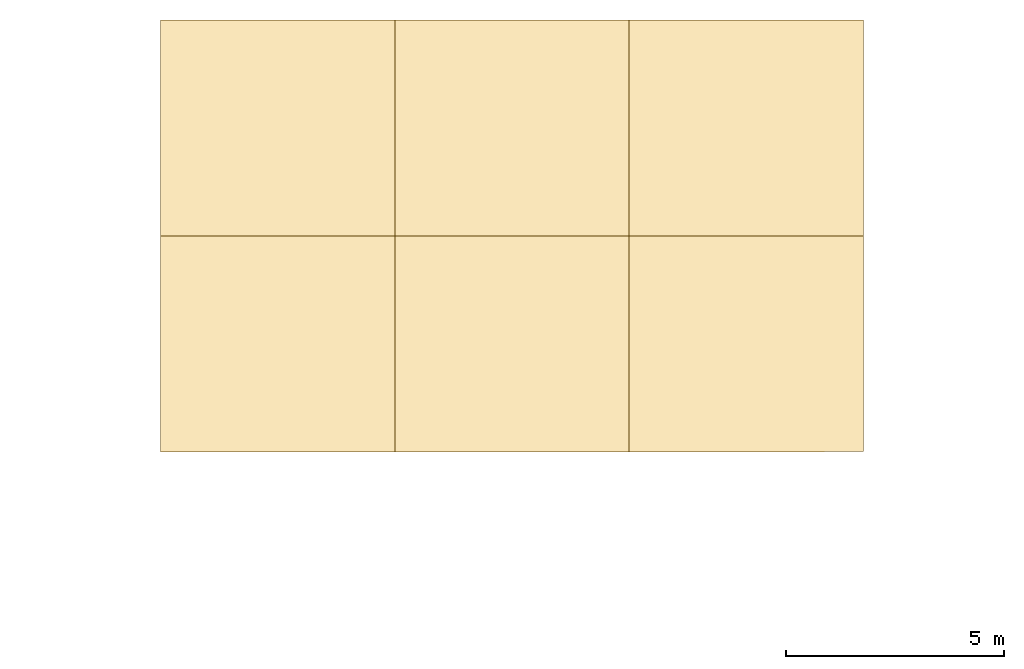
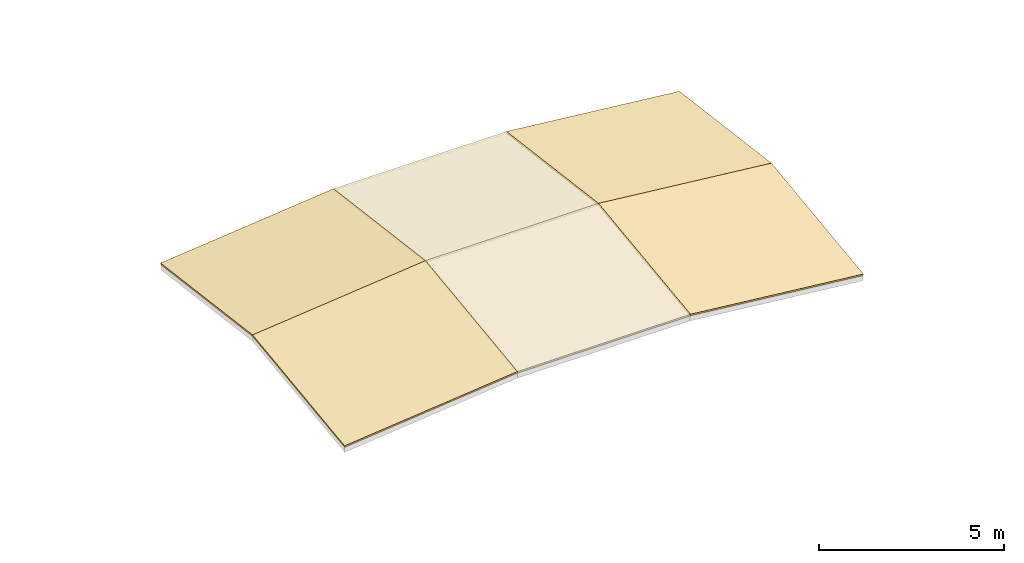
# One storey, part 38 of 41: 6 coverings.
"""IFC4 building model written with IfcOpenShell, lengths in metres."""

import ifcopenshell
import ifcopenshell.guid

model = None  # the IFC model being written
_history = None  # IfcOwnerHistory: only IFC2X3 demands one
_inside = {}  # id of a spatial element -> (the spatial element, [elements in it])
_under = {}  # id of a project, library or spatial element -> (it, [spatial elements below it])
_declared = {}  # id of a project -> (the project, [libraries it declares])
_typed = {}  # id of a type object -> (the type object, [elements of that type])
_made_of = {}  # id of a material, layer set ... -> (it, [elements and type objects made of it])


def new_model(schema):
    """Start an empty IFC model of exactly this schema.

    Asked for "IFC4X3", IfcOpenShell would pick the latest addendum, in which some entities
    have other attributes; the version numbers below select the first issue.
    IFC2X3 requires an IfcOwnerHistory on every rooted entity: one is made here for all.
    """
    global model, _history
    if schema == "IFC4X3":
        model = ifcopenshell.file(schema_version=(4, 3, 0, 0))
    else:
        model = ifcopenshell.file(schema=schema)
    _inside.clear()
    _under.clear()
    _declared.clear()
    _typed.clear()
    _made_of.clear()
    _history = None
    if model.schema == "IFC2X3":
        org = make("IfcOrganization", Name="unknown")
        user = make(
            "IfcPersonAndOrganization",
            ThePerson=make("IfcPerson", FamilyName="unknown"),
            TheOrganization=org,
        )
        app = make(
            "IfcApplication",
            ApplicationDeveloper=org,
            Version="unknown",
            ApplicationFullName="unknown",
            ApplicationIdentifier="unknown",
        )
        _history = make(
            "IfcOwnerHistory",
            OwningUser=user,
            OwningApplication=app,
            ChangeAction="ADDED",
            CreationDate=0,
        )
    return model


def make(cls, **values):
    """One entity of the class cls with the attributes given. An attribute that is None is left unset."""
    return model.create_entity(
        cls, **{name: value for name, value in values.items() if value is not None}
    )


def rooted(cls, **values):
    """An entity with a GlobalId (a new one), such as an element, a storey or a relation."""
    return make(cls, GlobalId=ifcopenshell.guid.new(), OwnerHistory=_history, **values)


def si_unit(unit_type, name, prefix=None):
    """IfcSIUnit, for example si_unit("LENGTHUNIT", "METRE", prefix="MILLI")."""
    return make("IfcSIUnit", UnitType=unit_type, Prefix=prefix, Name=name)


def assignment(units):
    """IfcUnitAssignment: the units of a project."""
    return None if units is None else make("IfcUnitAssignment", Units=units)


def point(xyz):
    """IfcCartesianPoint."""
    return None if xyz is None else make("IfcCartesianPoint", Coordinates=xyz)


def direction(xyz):
    """IfcDirection."""
    return None if xyz is None else make("IfcDirection", DirectionRatios=xyz)


def frame(location, z_axis=None, x_axis=None):
    """IfcAxis2Placement3D, a coordinate frame: its origin and axes. An axis left out is left unset."""
    return make(
        "IfcAxis2Placement3D",
        Location=point(location),
        Axis=direction(z_axis),
        RefDirection=direction(x_axis),
    )


def origin():
    """The frame at (0, 0, 0) with its axes left unset."""
    return frame((0.0, 0.0, 0.0))


def place(relative_to, where):
    """IfcLocalPlacement: puts the frame where relative to a parent placement (None: the world)."""
    return make(
        "IfcLocalPlacement", PlacementRelTo=relative_to, RelativePlacement=where
    )


def context(
    kind, dimensions, precision=None, world=None, true_north=None, identifier=None
):
    """IfcGeometricRepresentationContext, for example the 3D "Model" context."""
    return make(
        "IfcGeometricRepresentationContext",
        ContextIdentifier=identifier,
        ContextType=kind,
        CoordinateSpaceDimension=dimensions,
        Precision=precision,
        WorldCoordinateSystem=world,
        TrueNorth=true_north,
    )


def subcontext(parent, identifier, kind, view, scale=None):
    """IfcGeometricRepresentationSubContext, for example "Body" below "Model"."""
    return make(
        "IfcGeometricRepresentationSubContext",
        ContextIdentifier=identifier,
        ContextType=kind,
        ParentContext=parent,
        TargetScale=scale,
        TargetView=view,
    )


def project(units=None, contexts=None):
    """IfcProject with its units and contexts."""
    return rooted(
        "IfcProject",
        Name="project",
        RepresentationContexts=contexts,
        UnitsInContext=assignment(units),
    )


def spatial(cls, under=None, at=None, **own):
    """A site, building, storey or space (cls), placed at a placement, below another one or the project."""
    s = rooted(cls, ObjectPlacement=at, **own)
    if under is not None:
        _under.setdefault(under.id(), (under, []))[1].append(s)
    return s


def polyline(points):
    """IfcPolyline through the points."""
    return make("IfcPolyline", Points=[point(p) for p in points])


def outline(outer, holes=None, kind="AREA"):
    """IfcArbitraryClosedProfileDef: a profile drawn as a closed curve; with holes, ...WithVoids."""
    if holes is None:
        return make("IfcArbitraryClosedProfileDef", ProfileType=kind, OuterCurve=outer)
    return make(
        "IfcArbitraryProfileDefWithVoids",
        ProfileType=kind,
        OuterCurve=outer,
        InnerCurves=holes,
    )


def extrude(swept, where, along, depth):
    """IfcExtrudedAreaSolid: the profile swept, set in the frame where, extruded along a direction by depth."""
    return make(
        "IfcExtrudedAreaSolid",
        SweptArea=swept,
        Position=where,
        ExtrudedDirection=direction(along),
        Depth=depth,
    )


def shape(context_of_items, identifier, shape_type, items):
    """IfcShapeRepresentation: the items that make up one representation, for example the "Body"."""
    return make(
        "IfcShapeRepresentation",
        ContextOfItems=context_of_items,
        RepresentationIdentifier=identifier,
        RepresentationType=shape_type,
        Items=items,
    )


def material(Name=None, Category=None):
    """IfcMaterial."""
    return make("IfcMaterial", Name=Name, Category=Category)


def layer(
    of_material, thickness, ventilated=None, Name=None, Category=None, Priority=None
):
    """IfcMaterialLayer: one layer of a wall or slab, of a material (None: an air gap)."""
    return make(
        "IfcMaterialLayer",
        Material=of_material,
        LayerThickness=thickness,
        IsVentilated=ventilated,
        Name=Name,
        Category=Category,
        Priority=Priority,
    )


def layer_set(layers, Name=None):
    """IfcMaterialLayerSet."""
    return make("IfcMaterialLayerSet", MaterialLayers=layers, LayerSetName=Name)


def made_of(thing, what):
    """Note that an element or type object is made of a material, layer set ...; save() writes the relation."""
    if what is not None:
        _made_of.setdefault(what.id(), (what, []))[1].append(thing)
    return thing


def type_object(cls, material=None, **own):
    """A type object (cls), such as IfcWallType, which elements share."""
    return made_of(rooted(cls, **own), material)


def element(
    cls,
    number,
    at=None,
    inside=None,
    cuts=None,
    type_object=None,
    material=None,
    context=None,
    identifier="Body",
    shape_type=None,
    held_by="IfcProductDefinitionShape",
    body=None,
    shapes=None,
    **own,
):
    """One element of the class cls, such as IfcWall. Its Tag is "e" and its number.

    at: its placement. inside: the storey or other place that contains it. cuts: it is an
    opening in that element (IfcRelVoidsElement). A single representation is given by context,
    identifier, shape_type and body (its items); several are given by shapes. held_by: the class
    of the entity that holds the representations. save() writes the other relations.
    """
    e = rooted(cls, Tag="e%d" % number, ObjectPlacement=at, **own)
    if body is not None:
        shapes = [shape(context, identifier, shape_type, body)]
    if shapes is not None:
        e.Representation = make(held_by, Representations=shapes)
    if inside is not None:
        _inside.setdefault(inside.id(), (inside, []))[1].append(e)
    if cuts is not None:
        rooted(
            "IfcRelVoidsElement", RelatingBuildingElement=cuts, RelatedOpeningElement=e
        )
    if type_object is not None:
        _typed.setdefault(type_object.id(), (type_object, []))[1].append(e)
    return made_of(e, material)


def aggregate(whole, parts):
    """IfcRelAggregates: a whole, such as a stair, and the parts it consists of."""
    return rooted("IfcRelAggregates", RelatingObject=whole, RelatedObjects=parts)


def save(model, path):
    """Write the relations noted so far, then the file.

    IfcRelAggregates (storeys below a building ...), IfcRelContainedInSpatialStructure (elements
    in a storey), IfcRelDefinesByType, IfcRelAssociatesMaterial and IfcRelDeclares: one each for
    every whole, place, type object, material and project.
    """
    for whole, parts in _under.values():
        aggregate(whole, parts)
    for where, things in _inside.values():
        rooted(
            "IfcRelContainedInSpatialStructure",
            RelatedElements=things,
            RelatingStructure=where,
        )
    for kind, things in _typed.values():
        rooted("IfcRelDefinesByType", RelatedObjects=things, RelatingType=kind)
    for what, things in _made_of.values():
        rooted("IfcRelAssociatesMaterial", RelatedObjects=things, RelatingMaterial=what)
    for by, libraries in _declared.values():
        rooted("IfcRelDeclares", RelatingContext=by, RelatedDefinitions=libraries)
    model.write(path)


model = new_model("IFC4")

# Units and contexts
model_context = context("Model", 3, precision=1e-05, world=origin(), true_north=direction((0.0, 1.0)))
body_context = subcontext(model_context, "Body", "Model", "MODEL_VIEW")
ifc_project = project(units=[si_unit("LENGTHUNIT", "METRE"), si_unit("AREAUNIT", "SQUARE_METRE"), si_unit("VOLUMEUNIT", "CUBIC_METRE"), si_unit("PLANEANGLEUNIT", "RADIAN"), si_unit("MASSUNIT", "GRAM", prefix="KILO")], contexts=[model_context])

# Site, building, storey
site_placement = place(None, origin())
site = spatial("IfcSite", under=ifc_project, at=site_placement, CompositionType="ELEMENT")
building_placement = place(site_placement, origin())
building = spatial("IfcBuilding", under=site, at=building_placement, Name="Birchvale Park Specialist Clinic", CompositionType="ELEMENT")
storey_placement = place(building_placement, frame((0.0, 0.0, 9.60009765625)))
storey = spatial("IfcBuildingStorey", under=building, at=storey_placement, Name="L02", CompositionType="ELEMENT", Elevation=9.60009765625)

# Coverings
ifc_material = material(Name="Standing-seam titanium-zinc roofing")
ifc_layer = layer(ifc_material, 0.054931640625)
ifc_layer_set = layer_set([ifc_layer], Name="Standing-seam titanium-zinc roofing")
covering_type = type_object("IfcCoveringType", Name="COV-RF2", PredefinedType="ROOFING", material=ifc_layer_set)
covering_1_placement = place(storey_placement, frame((62.92138671875, 96.512451171875, 0.831787109375), z_axis=(-0.102873957372, -0.127562614346, 0.986480982237), x_axis=(0.99460643766, -2.836801e-06, 0.10372094368)))
element("IfcCovering", 1, at=covering_1_placement, inside=storey, type_object=covering_type, Name="V3 gridshell standing-seam covering 10", PredefinedType="ROOFING", context=body_context, shape_type="SweptSolid", body=[
    extrude(outline(polyline([(0.0, 0.0), (5.414935592098776, 0.0), (5.481494356083012, 5.0035383432062845), (0.06653344148822016, 5.003507367891522), (0.0, 0.0)])), origin(), (0.0, 0.0, -1.0), 0.054931640625),
])
covering_2_placement = place(storey_placement, frame((62.92138671875, 101.47509765625, 1.473388671875), z_axis=(-0.102873875014, 0.127568788051, 0.98648019248), x_axis=(0.994606361971, -2.836923e-06, 0.103721669479)))
element("IfcCovering", 2, at=covering_2_placement, inside=storey, type_object=covering_type, Name="V3 gridshell standing-seam covering 11", PredefinedType="ROOFING", context=body_context, shape_type="SweptSolid", body=[
    extrude(outline(polyline([(0.0, 0.0), (5.414960914683388, -2.7755575615628914e-17), (5.348373528854659, 5.00329581710127), (-0.06656206315551558, 5.003264840432242), (0.0, 0.0)])), origin(), (0.0, 0.0, -1.0), 0.054931640625),
])
covering_3_placement = place(storey_placement, frame((68.30712890625, 96.512451171875, 1.393310546875), z_axis=(0.0, -0.128267013949, 0.991739670041), x_axis=(1.0, 0.0, 0.0)))
element("IfcCovering", 3, at=covering_3_placement, inside=storey, type_object=covering_type, Name="V3 gridshell standing-seam covering 14", PredefinedType="ROOFING", context=body_context, shape_type="SweptSolid", body=[
    extrude(outline(polyline([(0.0, 0.0), (5.3857421875, 0.0), (5.3857421875, 5.00398101869897), (0.0, 5.00398101869897), (0.0, 0.0)])), origin(), (0.0, 0.0, -1.0), 0.054931640625),
])
covering_4_placement = place(storey_placement, frame((68.30712890625, 101.47509765625, 2.03515625), z_axis=(0.0, 0.128273220608, 0.991738867281), x_axis=(1.0, 0.0, 0.0)))
element("IfcCovering", 4, at=covering_4_placement, inside=storey, type_object=covering_type, Name="V3 gridshell standing-seam covering 15", PredefinedType="ROOFING", context=body_context, shape_type="SweptSolid", body=[
    extrude(outline(polyline([(0.0, 0.0), (5.3857421875, 0.0), (5.3857421875, 5.00373889485408), (0.0, 5.00373889485408), (0.0, 0.0)])), origin(), (0.0, 0.0, -1.0), 0.054931640625),
])
covering_5_placement = place(storey_placement, frame((73.69287109375, 96.512451171875, 1.393310546875), z_axis=(0.102873957372, -0.127562614346, 0.986480982237), x_axis=(0.99460643766, 2.836801e-06, -0.10372094368)))
element("IfcCovering", 5, at=covering_5_placement, inside=storey, type_object=covering_type, Name="V3 gridshell standing-seam covering 18", PredefinedType="ROOFING", context=body_context, shape_type="SweptSolid", body=[
    extrude(outline(polyline([(0.0, 0.0), (5.414935592098776, 0.0), (5.348402150610556, 5.003507367891522), (-0.06655876398423588, 5.0035383432062845), (0.0, 0.0)])), origin(), (0.0, 0.0, -1.0), 0.054931640625),
])
covering_6_placement = place(storey_placement, frame((73.69287109375, 101.47509765625, 2.03515625), z_axis=(0.102873875014, 0.127568788051, 0.98648019248), x_axis=(0.994606361971, 2.836923e-06, -0.103721669479)))
element("IfcCovering", 6, at=covering_6_placement, inside=storey, type_object=covering_type, Name="V3 gridshell standing-seam covering 19", PredefinedType="ROOFING", context=body_context, shape_type="SweptSolid", body=[
    extrude(outline(polyline([(0.0, 0.0), (5.414960914683388, 2.7755575615628914e-17), (5.481522977838904, 5.003264840432242), (0.06658738582872821, 5.00329581710127), (0.0, 0.0)])), origin(), (0.0, 0.0, -1.0), 0.054931640625),
])

save(model, "model.ifc")
